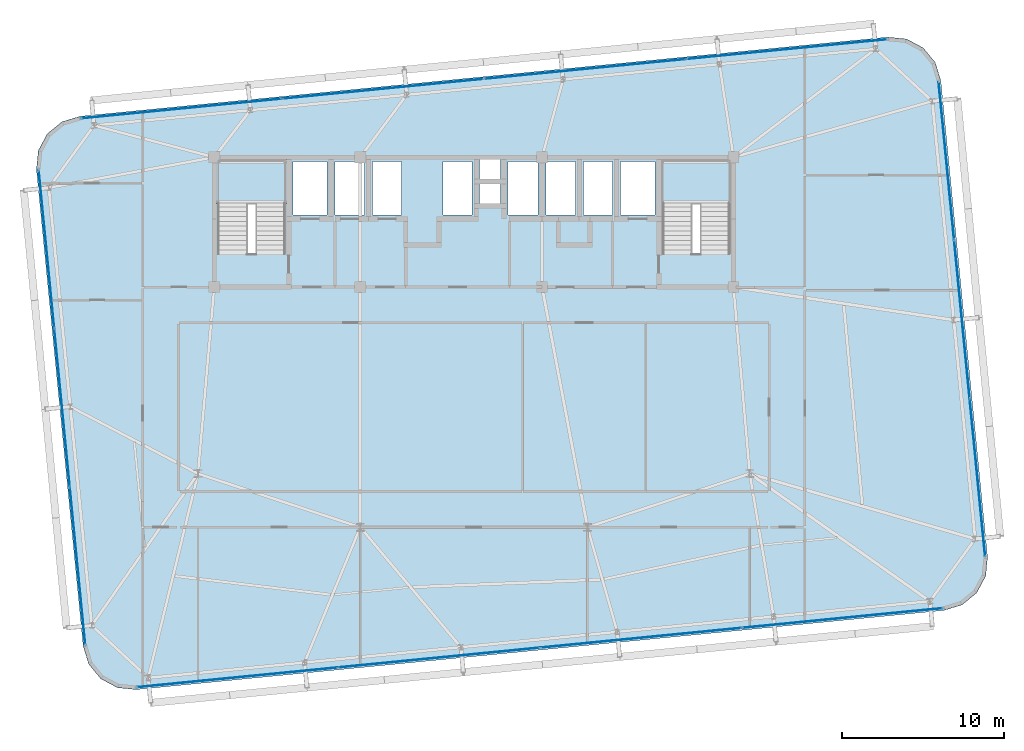
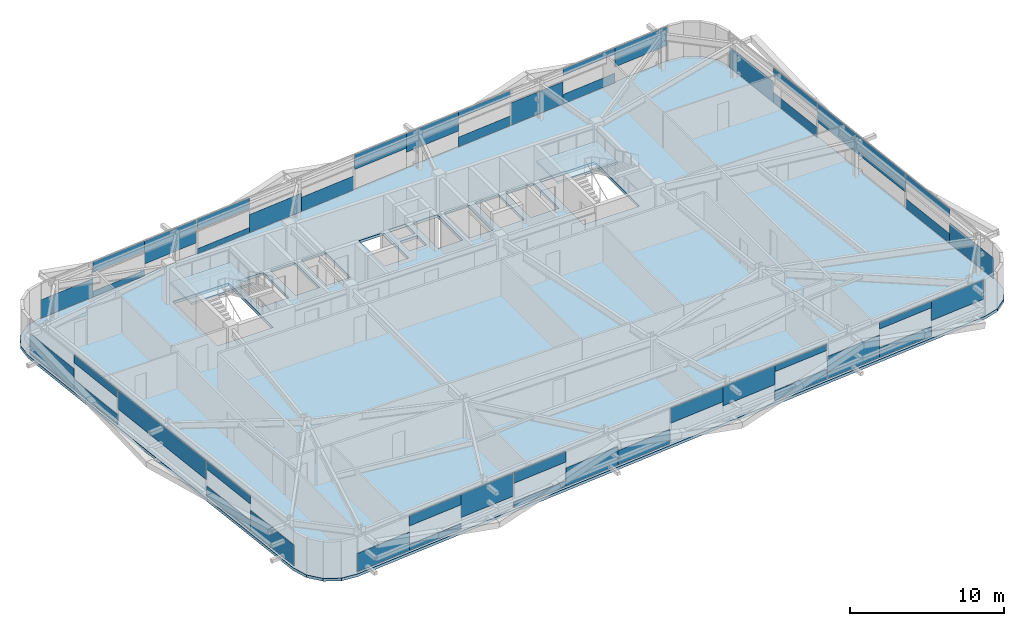
# One storey, part 32 of 47: 46 plates, 3 slabs, 6 elements without a shape of their own.
"""IFC4 building model written with IfcOpenShell, lengths in metres."""

from ifc_helpers import new_model, si_unit, direction, frame, origin, origin_2d, place, context, subcontext, project, spatial, polyline, rectangle, outline, extrude, source, transform, mapped, material, layer, layer_set, type_object, element, aggregate, save


model = new_model("IFC4")

# Units and contexts
model_context = context("Model", 3, precision=1e-05, world=origin(), true_north=direction((0.0, 1.0)))
body_context = subcontext(model_context, "Body", "Model", "MODEL_VIEW")
ifc_project = project(units=[si_unit("LENGTHUNIT", "METRE"), si_unit("AREAUNIT", "SQUARE_METRE"), si_unit("VOLUMEUNIT", "CUBIC_METRE"), si_unit("PLANEANGLEUNIT", "RADIAN"), si_unit("MASSUNIT", "GRAM", prefix="KILO")], contexts=[model_context])

# Site, building, storey
site_placement = place(None, origin())
site = spatial("IfcSite", under=ifc_project, at=site_placement, CompositionType="ELEMENT")
building_placement = place(site_placement, origin())
building = spatial("IfcBuilding", under=site, at=building_placement, Name="Taldren Reach Tower", CompositionType="ELEMENT")
storey_placement = place(building_placement, frame((0.0, 0.0, 109.199951171875)))
storey = spatial("IfcBuildingStorey", under=building, at=storey_placement, Name="L33", CompositionType="ELEMENT", Elevation=109.199951171875)

# Slab
ifc_material_1 = material(Name="Concrete N40 (40 MPa)", Category="concrete")
ifc_layer_1 = layer(ifc_material_1, 0.219970703125)
ifc_layer_set_1 = layer_set([ifc_layer_1], Name="Concrete N40 (40 MPa)")
slab_type_1 = type_object("IfcSlabType", Name="SL-FLR-220", PredefinedType="FLOOR", material=ifc_layer_set_1)
slab_1_placement = place(storey_placement, frame((0.0, 0.0, -0.219970703125)))
element("IfcSlab", 1, at=slab_1_placement, inside=storey, type_object=slab_type_1, Name="Suspended floor slab L33", PredefinedType="FLOOR", context=body_context, shape_type="SweptSolid", body=[
    extrude(outline(polyline([(63.962890625, 4.07421875), (65.0830078125, 4.41357421875), (65.98828125, 5.15576171875), (66.54052734375, 6.187744140625), (66.65576171875, 7.352783203125), (63.777099609375, 36.7119140625), (63.437744140625, 37.832275390625), (62.695556640625, 38.7373046875), (61.663330078125, 39.28955078125), (60.49853515625, 39.40478515625), (10.7373046875, 34.525634765625), (9.616943359375, 34.1865234375), (8.711669921875, 33.4443359375), (8.159423828125, 32.412109375), (8.044189453125, 31.247314453125), (10.923095703125, 1.88818359375), (11.26220703125, 0.767822265625), (12.00439453125, -0.137451171875), (13.03662109375, -0.689697265625), (14.201416015625, -0.804931640625), (63.962890625, 4.07421875)]), holes=[polyline([(19.219970703125, 26.050048828125), (23.3798828125, 26.050048828125), (23.3798828125, 31.820068359375), (19.219970703125, 31.820068359375), (19.219970703125, 26.050048828125)]), polyline([(46.6201171875, 26.050048828125), (50.780029296875, 26.050048828125), (50.780029296875, 31.820068359375), (46.6201171875, 31.820068359375), (46.6201171875, 26.050048828125)]), polyline([(23.85009765625, 28.449951171875), (25.949951171875, 28.449951171875), (25.949951171875, 31.75), (23.85009765625, 31.75), (23.85009765625, 28.449951171875)]), polyline([(44.050048828125, 28.449951171875), (46.14990234375, 28.449951171875), (46.14990234375, 31.75), (44.050048828125, 31.75), (44.050048828125, 28.449951171875)]), polyline([(26.449951171875, 28.449951171875), (28.25, 28.449951171875), (28.25, 31.75), (26.449951171875, 31.75), (26.449951171875, 28.449951171875)]), polyline([(28.75, 28.449951171875), (30.550048828125, 28.449951171875), (30.550048828125, 31.75), (28.75, 31.75), (28.75, 28.449951171875)]), polyline([(33.10009765625, 28.449951171875), (34.89990234375, 28.449951171875), (34.89990234375, 31.75), (33.10009765625, 31.75), (33.10009765625, 28.449951171875)]), polyline([(37.10009765625, 28.449951171875), (38.949951171875, 28.449951171875), (38.949951171875, 31.75), (37.10009765625, 31.75), (37.10009765625, 28.449951171875)]), polyline([(39.449951171875, 28.449951171875), (41.25, 28.449951171875), (41.25, 31.75), (39.449951171875, 31.75), (39.449951171875, 28.449951171875)]), polyline([(41.75, 28.449951171875), (43.550048828125, 28.449951171875), (43.550048828125, 31.75), (41.75, 31.75), (41.75, 28.449951171875)]), polyline([(35.35009765625, 30.64990234375), (36.64990234375, 30.64990234375), (36.64990234375, 31.85009765625), (35.35009765625, 31.85009765625), (35.35009765625, 30.64990234375)]), polyline([(35.35009765625, 29.14990234375), (36.64990234375, 29.14990234375), (36.64990234375, 30.35009765625), (35.35009765625, 30.35009765625), (35.35009765625, 29.14990234375)])]), origin(), (0.0, 0.0, 1.0), 0.219970703125),
])

# Stair, slab
ifc_material_2 = material(Name="Concrete S50 (50 MPa)", Category="concrete")
stair_type = type_object("IfcStairType", Name="ST-HT-315", PredefinedType="HALF_TURN_STAIR", material=ifc_material_2)
stair_1_placement = place(storey_placement, origin())
stair_1 = element("IfcStair", 2, at=stair_1_placement, inside=storey, type_object=stair_type, Name="Fire-isolated exit stair ST1 L33", PredefinedType="HALF_TURN_STAIR")
ifc_layer_2 = layer(ifc_material_2, 0.179931640625)
ifc_layer_set_2 = layer_set([ifc_layer_2], Name="Concrete S50 (50 MPa)")
slab_type_2 = type_object("IfcSlabType", Name="SL-LAND-180", PredefinedType="LANDING", material=ifc_layer_set_2)
slab_2_placement = place(storey_placement, frame((0.0, 0.0, 1.39501953125)))
slab_2 = element("IfcSlab", 3, at=slab_2_placement, type_object=slab_type_2, Name="ST1 landing 1", PredefinedType="LANDING", context=body_context, shape_type="SweptSolid", body=[
    extrude(outline(polyline([(19.0400390625, 29.135009765625), (23.56005859375, 29.135009765625), (23.56005859375, 31.8701171875), (19.0400390625, 31.8701171875), (19.0400390625, 29.135009765625)])), origin(), (0.0, 0.0, 1.0), 0.179931640625),
])
aggregate(stair_1, [slab_2])

stair_2_placement = place(storey_placement, origin())
stair_2 = element("IfcStair", 4, at=stair_2_placement, inside=storey, type_object=stair_type, Name="Fire-isolated exit stair ST2 L33", PredefinedType="HALF_TURN_STAIR")
slab_3_placement = place(storey_placement, frame((0.0, 0.0, 1.39501953125)))
slab_3 = element("IfcSlab", 5, at=slab_3_placement, type_object=slab_type_2, Name="ST2 landing 1", PredefinedType="LANDING", context=body_context, shape_type="SweptSolid", body=[
    extrude(outline(polyline([(46.43994140625, 29.135009765625), (50.9599609375, 29.135009765625), (50.9599609375, 31.8701171875), (46.43994140625, 31.8701171875), (46.43994140625, 29.135009765625)])), origin(), (0.0, 0.0, 1.0), 0.179931640625),
])
aggregate(stair_2, [slab_3])

# Curtain wall, plate
ifc_material_3 = material(Name="Aluminium and Low-E Glass Unitised System", Category="aluminium")
ifc_layer_3 = layer(ifc_material_3, 0.159912109375)
ifc_layer_set_3 = layer_set([ifc_layer_3], Name="Aluminium and Low-E Glass Unitised System")
curtain_wall_type = type_object("IfcCurtainWallType", Name="CW-SYS-3", PredefinedType="NOTDEFINED", material=ifc_layer_set_3)
curtain_wall_1_placement = place(storey_placement, origin())
curtain_wall_1 = element("IfcCurtainWall", 6, at=curtain_wall_1_placement, inside=storey, type_object=curtain_wall_type, Name="Unitised curtain wall CW-L33-S", PredefinedType="NOTDEFINED")
ifc_material_4 = material(Name="Solar-Control Double Glazed IGU", Category="glass")
ifc_layer_4 = layer(ifc_material_4, 0.031982421875)
ifc_layer_set_4 = layer_set([ifc_layer_4], Name="Solar-Control Double Glazed IGU")
plate_type = type_object("IfcPlateType", Name="CW-PNL-IGU32", PredefinedType="CURTAIN_PANEL", material=ifc_layer_set_4)
shared_shape_1 = source(origin(), body_context, "Body", "SweptSolid", [
    extrude(rectangle(XDim=4.13427734375, YDim=0.031982421875, at=origin_2d()), origin(), (0.0, 0.0, 1.0), 1.4609375),
])
plate_1_placement = place(storey_placement, frame((16.3095703125, -0.45751953125, 0.05517578125), z_axis=(0.0, 0.0, 1.0), x_axis=(0.995227390247, 0.097582999046, 0.0)))
plate_1 = element("IfcPlate", 7, at=plate_1_placement, type_object=plate_type, Name="CW-3 panel 1.1 part 1", PredefinedType="CURTAIN_PANEL", context=body_context, shape_type="MappedRepresentation", body=[
    mapped(shared_shape_1, transform((0.0, 0.0, 0.0), scale=1.0)),
])

curtain_wall_2_placement = place(storey_placement, origin())
curtain_wall_2 = element("IfcCurtainWall", 8, at=curtain_wall_2_placement, inside=storey, type_object=curtain_wall_type, Name="Unitised curtain wall CW-L33-N", PredefinedType="NOTDEFINED")
plate_2_placement = place(storey_placement, frame((12.872802734375, 34.594482421875, 0.05517578125), z_axis=(0.0, 0.0, 1.0), x_axis=(-0.995227390247, -0.097582999046, 0.0)))
plate_2 = element("IfcPlate", 9, at=plate_2_placement, type_object=plate_type, Name="CW-3 panel 4.1 part 4", PredefinedType="CURTAIN_PANEL", context=body_context, shape_type="MappedRepresentation", body=[
    mapped(shared_shape_1, transform((0.0, 0.0, 0.0), scale=1.0)),
])

# Plate
shared_shape_2 = source(origin(), body_context, "Body", "SweptSolid", [
    extrude(rectangle(XDim=4.13427734375, YDim=0.031982421875, at=origin_2d()), origin(), (0.0, 0.0, 1.0), 0.44873046875),
])
plate_3_placement = place(storey_placement, frame((20.424072265625, -0.053955078125, 0.05517578125), z_axis=(0.0, 0.0, 1.0), x_axis=(0.995227390247, 0.097582999046, 0.0)))
plate_3 = element("IfcPlate", 10, at=plate_3_placement, type_object=plate_type, Name="CW-3 panel 1.1 part 2", PredefinedType="CURTAIN_PANEL", context=body_context, shape_type="MappedRepresentation", body=[
    mapped(shared_shape_2, transform((0.0, 0.0, 0.0), scale=1.0)),
])

plate_4_placement = place(storey_placement, frame((16.9873046875, 34.997802734375, 0.05517578125), z_axis=(0.0, 0.0, 1.0), x_axis=(-0.995227390247, -0.097582999046, 0.0)))
plate_4 = element("IfcPlate", 11, at=plate_4_placement, type_object=plate_type, Name="CW-3 panel 4.1 part 2", PredefinedType="CURTAIN_PANEL", context=body_context, shape_type="MappedRepresentation", body=[
    mapped(shared_shape_2, transform((0.0, 0.0, 0.0), scale=1.0)),
])

shared_shape_3 = source(origin(), body_context, "Body", "SweptSolid", [
    extrude(rectangle(XDim=4.13427734375, YDim=0.031982421875, at=origin_2d()), origin(), (0.0, 0.0, 1.0), 0.8154296875),
])
plate_5_placement = place(storey_placement, frame((20.424072265625, -0.053955078125, 1.99951171875), z_axis=(0.0, 0.0, 1.0), x_axis=(0.995227390247, 0.097582999046, 0.0)))
plate_5 = element("IfcPlate", 12, at=plate_5_placement, type_object=plate_type, Name="CW-3 panel 1.1 part 3", PredefinedType="CURTAIN_PANEL", context=body_context, shape_type="MappedRepresentation", body=[
    mapped(shared_shape_3, transform((0.0, 0.0, 0.0), scale=1.0)),
])

plate_6_placement = place(storey_placement, frame((16.9873046875, 34.997802734375, 1.99951171875), z_axis=(0.0, 0.0, 1.0), x_axis=(-0.995227390247, -0.097582999046, 0.0)))
plate_6 = element("IfcPlate", 13, at=plate_6_placement, type_object=plate_type, Name="CW-3 panel 4.1 part 3", PredefinedType="CURTAIN_PANEL", context=body_context, shape_type="MappedRepresentation", body=[
    mapped(shared_shape_3, transform((0.0, 0.0, 0.0), scale=1.0)),
])

shared_shape_4 = source(origin(), body_context, "Body", "SweptSolid", [
    extrude(rectangle(XDim=4.13427734375, YDim=0.031982421875, at=origin_2d()), origin(), (0.0, 0.0, 1.0), 1.82763671875),
])
plate_7_placement = place(storey_placement, frame((24.53857421875, 0.349365234375, 0.9873046875), z_axis=(0.0, 0.0, 1.0), x_axis=(0.995227390247, 0.097582999046, 0.0)))
plate_7 = element("IfcPlate", 14, at=plate_7_placement, type_object=plate_type, Name="CW-3 panel 1.1 part 4", PredefinedType="CURTAIN_PANEL", context=body_context, shape_type="MappedRepresentation", body=[
    mapped(shared_shape_4, transform((0.0, 0.0, 0.0), scale=1.0)),
])

plate_8_placement = place(storey_placement, frame((21.1015625, 35.4013671875, 0.9873046875), z_axis=(0.0, 0.0, 1.0), x_axis=(-0.995227390247, -0.097582999046, 0.0)))
plate_8 = element("IfcPlate", 15, at=plate_8_placement, type_object=plate_type, Name="CW-3 panel 4.1 part 1", PredefinedType="CURTAIN_PANEL", context=body_context, shape_type="MappedRepresentation", body=[
    mapped(shared_shape_4, transform((0.0, 0.0, 0.0), scale=1.0)),
])

shared_shape_5 = source(origin(), body_context, "Body", "SweptSolid", [
    extrude(rectangle(XDim=4.14501953125, YDim=0.031982421875, at=origin_2d()), origin(), (0.0, 0.0, 1.0), 0.42578125),
])
plate_9_placement = place(storey_placement, frame((28.72314453125, 0.759765625, 0.054931640625), z_axis=(0.0, 0.0, 1.0), x_axis=(0.995227390247, 0.097582999046, 0.0)))
plate_9 = element("IfcPlate", 16, at=plate_9_placement, type_object=plate_type, Name="CW-3 panel 2.1 part 1", PredefinedType="CURTAIN_PANEL", context=body_context, shape_type="MappedRepresentation", body=[
    mapped(shared_shape_5, transform((0.0, 0.0, 0.0), scale=1.0)),
])

plate_10_placement = place(storey_placement, frame((25.2861328125, 35.8115234375, 0.054931640625), z_axis=(0.0, 0.0, 1.0), x_axis=(-0.995227390247, -0.097582999046, 0.0)))
plate_10 = element("IfcPlate", 17, at=plate_10_placement, type_object=plate_type, Name="CW-3 panel 3.1 part 3", PredefinedType="CURTAIN_PANEL", context=body_context, shape_type="MappedRepresentation", body=[
    mapped(shared_shape_5, transform((0.0, 0.0, 0.0), scale=1.0)),
])

shared_shape_6 = source(origin(), body_context, "Body", "SweptSolid", [
    extrude(rectangle(XDim=4.14501953125, YDim=0.031982421875, at=origin_2d()), origin(), (0.0, 0.0, 1.0), 0.8359375),
])
plate_11_placement = place(storey_placement, frame((28.72314453125, 0.759765625, 1.979248046875), z_axis=(0.0, 0.0, 1.0), x_axis=(0.995227390247, 0.097582999046, 0.0)))
plate_11 = element("IfcPlate", 18, at=plate_11_placement, type_object=plate_type, Name="CW-3 panel 2.1 part 2", PredefinedType="CURTAIN_PANEL", context=body_context, shape_type="MappedRepresentation", body=[
    mapped(shared_shape_6, transform((0.0, 0.0, 0.0), scale=1.0)),
])

plate_12_placement = place(storey_placement, frame((25.2861328125, 35.8115234375, 1.979248046875), z_axis=(0.0, 0.0, 1.0), x_axis=(-0.995227390247, -0.097582999046, 0.0)))
plate_12 = element("IfcPlate", 19, at=plate_12_placement, type_object=plate_type, Name="CW-3 panel 3.1 part 4", PredefinedType="CURTAIN_PANEL", context=body_context, shape_type="MappedRepresentation", body=[
    mapped(shared_shape_6, transform((0.0, 0.0, 0.0), scale=1.0)),
])

shared_shape_7 = source(origin(), body_context, "Body", "SweptSolid", [
    extrude(rectangle(XDim=4.14501953125, YDim=0.031982421875, at=origin_2d()), origin(), (0.0, 0.0, 1.0), 1.440673828125),
])
plate_13_placement = place(storey_placement, frame((32.84814453125, 1.1640625, 0.05517578125), z_axis=(0.0, 0.0, 1.0), x_axis=(0.995227390247, 0.097582999046, 0.0)))
plate_13 = element("IfcPlate", 20, at=plate_13_placement, type_object=plate_type, Name="CW-3 panel 2.1 part 3", PredefinedType="CURTAIN_PANEL", context=body_context, shape_type="MappedRepresentation", body=[
    mapped(shared_shape_7, transform((0.0, 0.0, 0.0), scale=1.0)),
])

plate_14_placement = place(storey_placement, frame((29.411376953125, 36.216064453125, 0.05517578125), z_axis=(0.0, 0.0, 1.0), x_axis=(-0.995227390247, -0.097582999046, 0.0)))
plate_14 = element("IfcPlate", 21, at=plate_14_placement, type_object=plate_type, Name="CW-3 panel 3.1 part 2", PredefinedType="CURTAIN_PANEL", context=body_context, shape_type="MappedRepresentation", body=[
    mapped(shared_shape_7, transform((0.0, 0.0, 0.0), scale=1.0)),
])

shared_shape_8 = source(origin(), body_context, "Body", "SweptSolid", [
    extrude(rectangle(XDim=4.14501953125, YDim=0.031982421875, at=origin_2d()), origin(), (0.0, 0.0, 1.0), 1.1162109375),
])
plate_15_placement = place(storey_placement, frame((36.973388671875, 1.568603515625, 0.054931640625), z_axis=(0.0, 0.0, 1.0), x_axis=(0.995227390247, 0.097582999046, 0.0)))
plate_15 = element("IfcPlate", 22, at=plate_15_placement, type_object=plate_type, Name="CW-3 panel 2.1 part 4", PredefinedType="CURTAIN_PANEL", context=body_context, shape_type="MappedRepresentation", body=[
    mapped(shared_shape_8, transform((0.0, 0.0, 0.0), scale=1.0)),
])

plate_16_placement = place(storey_placement, frame((33.53662109375, 36.62060546875, 0.054931640625), z_axis=(0.0, 0.0, 1.0), x_axis=(-0.995227390247, -0.097582999046, 0.0)))
plate_16 = element("IfcPlate", 23, at=plate_16_placement, type_object=plate_type, Name="CW-3 panel 3.1 part 1", PredefinedType="CURTAIN_PANEL", context=body_context, shape_type="MappedRepresentation", body=[
    mapped(shared_shape_8, transform((0.0, 0.0, 0.0), scale=1.0)),
])

shared_shape_9 = source(origin(), body_context, "Body", "SweptSolid", [
    extrude(rectangle(XDim=4.14501953125, YDim=0.031982421875, at=origin_2d()), origin(), (0.0, 0.0, 1.0), 1.17626953125),
])
plate_17_placement = place(storey_placement, frame((41.163330078125, 1.9794921875, 1.638916015625), z_axis=(0.0, 0.0, 1.0), x_axis=(0.995227390247, 0.097582999046, 0.0)))
plate_17 = element("IfcPlate", 24, at=plate_17_placement, type_object=plate_type, Name="CW-3 panel 3.1 part 1", PredefinedType="CURTAIN_PANEL", context=body_context, shape_type="MappedRepresentation", body=[
    mapped(shared_shape_9, transform((0.0, 0.0, 0.0), scale=1.0)),
])

plate_18_placement = place(storey_placement, frame((37.7265625, 37.03125, 1.638916015625), z_axis=(0.0, 0.0, 1.0), x_axis=(-0.995227390247, -0.097582999046, 0.0)))
plate_18 = element("IfcPlate", 25, at=plate_18_placement, type_object=plate_type, Name="CW-3 panel 2.1 part 4", PredefinedType="CURTAIN_PANEL", context=body_context, shape_type="MappedRepresentation", body=[
    mapped(shared_shape_9, transform((0.0, 0.0, 0.0), scale=1.0)),
])

shared_shape_10 = source(origin(), body_context, "Body", "SweptSolid", [
    extrude(rectangle(XDim=4.14501953125, YDim=0.031982421875, at=origin_2d()), origin(), (0.0, 0.0, 1.0), 1.50048828125),
])
plate_19_placement = place(storey_placement, frame((45.28857421875, 2.384033203125, 1.314453125), z_axis=(0.0, 0.0, 1.0), x_axis=(0.995227390247, 0.097582999046, 0.0)))
plate_19 = element("IfcPlate", 26, at=plate_19_placement, type_object=plate_type, Name="CW-3 panel 3.1 part 2", PredefinedType="CURTAIN_PANEL", context=body_context, shape_type="MappedRepresentation", body=[
    mapped(shared_shape_10, transform((0.0, 0.0, 0.0), scale=1.0)),
])

plate_20_placement = place(storey_placement, frame((41.851806640625, 37.435791015625, 1.314453125), z_axis=(0.0, 0.0, 1.0), x_axis=(-0.995227390247, -0.097582999046, 0.0)))
plate_20 = element("IfcPlate", 27, at=plate_20_placement, type_object=plate_type, Name="CW-3 panel 2.1 part 3", PredefinedType="CURTAIN_PANEL", context=body_context, shape_type="MappedRepresentation", body=[
    mapped(shared_shape_10, transform((0.0, 0.0, 0.0), scale=1.0)),
])

shared_shape_11 = source(origin(), body_context, "Body", "SweptSolid", [
    extrude(rectangle(XDim=4.14501953125, YDim=0.031982421875, at=origin_2d()), origin(), (0.0, 0.0, 1.0), 0.77587890625),
])
plate_21_placement = place(storey_placement, frame((49.413818359375, 2.788330078125, 0.054931640625), z_axis=(0.0, 0.0, 1.0), x_axis=(0.995227390247, 0.097582999046, 0.0)))
plate_21 = element("IfcPlate", 28, at=plate_21_placement, type_object=plate_type, Name="CW-3 panel 3.1 part 3", PredefinedType="CURTAIN_PANEL", context=body_context, shape_type="MappedRepresentation", body=[
    mapped(shared_shape_11, transform((0.0, 0.0, 0.0), scale=1.0)),
])

plate_22_placement = place(storey_placement, frame((45.97705078125, 37.84033203125, 0.054931640625), z_axis=(0.0, 0.0, 1.0), x_axis=(-0.995227390247, -0.097582999046, 0.0)))
plate_22 = element("IfcPlate", 29, at=plate_22_placement, type_object=plate_type, Name="CW-3 panel 2.1 part 1", PredefinedType="CURTAIN_PANEL", context=body_context, shape_type="MappedRepresentation", body=[
    mapped(shared_shape_11, transform((0.0, 0.0, 0.0), scale=1.0)),
])

shared_shape_12 = source(origin(), body_context, "Body", "SweptSolid", [
    extrude(rectangle(XDim=4.14501953125, YDim=0.031982421875, at=origin_2d()), origin(), (0.0, 0.0, 1.0), 0.48583984375),
])
plate_23_placement = place(storey_placement, frame((49.413818359375, 2.788330078125, 2.329345703125), z_axis=(0.0, 0.0, 1.0), x_axis=(0.995227390247, 0.097582999046, 0.0)))
plate_23 = element("IfcPlate", 30, at=plate_23_placement, type_object=plate_type, Name="CW-3 panel 3.1 part 4", PredefinedType="CURTAIN_PANEL", context=body_context, shape_type="MappedRepresentation", body=[
    mapped(shared_shape_12, transform((0.0, 0.0, 0.0), scale=1.0)),
])

plate_24_placement = place(storey_placement, frame((45.97705078125, 37.84033203125, 2.329345703125), z_axis=(0.0, 0.0, 1.0), x_axis=(-0.995227390247, -0.097582999046, 0.0)))
plate_24 = element("IfcPlate", 31, at=plate_24_placement, type_object=plate_type, Name="CW-3 panel 2.1 part 2", PredefinedType="CURTAIN_PANEL", context=body_context, shape_type="MappedRepresentation", body=[
    mapped(shared_shape_12, transform((0.0, 0.0, 0.0), scale=1.0)),
])

shared_shape_13 = source(origin(), body_context, "Body", "SweptSolid", [
    extrude(rectangle(XDim=4.13427734375, YDim=0.031982421875, at=origin_2d()), origin(), (0.0, 0.0, 1.0), 1.767578125),
])
plate_25_placement = place(storey_placement, frame((53.598388671875, 3.19873046875, 0.05517578125), z_axis=(0.0, 0.0, 1.0), x_axis=(0.995227390247, 0.097582999046, 0.0)))
plate_25 = element("IfcPlate", 32, at=plate_25_placement, type_object=plate_type, Name="CW-3 panel 4.1 part 1", PredefinedType="CURTAIN_PANEL", context=body_context, shape_type="MappedRepresentation", body=[
    mapped(shared_shape_13, transform((0.0, 0.0, 0.0), scale=1.0)),
])

plate_26_placement = place(storey_placement, frame((50.161376953125, 38.250732421875, 0.05517578125), z_axis=(0.0, 0.0, 1.0), x_axis=(-0.995227390247, -0.097582999046, 0.0)))
plate_26 = element("IfcPlate", 33, at=plate_26_placement, type_object=plate_type, Name="CW-3 panel 1.1 part 4", PredefinedType="CURTAIN_PANEL", context=body_context, shape_type="MappedRepresentation", body=[
    mapped(shared_shape_13, transform((0.0, 0.0, 0.0), scale=1.0)),
])

shared_shape_14 = source(origin(), body_context, "Body", "SweptSolid", [
    extrude(rectangle(XDim=4.13427734375, YDim=0.031982421875, at=origin_2d()), origin(), (0.0, 0.0, 1.0), 0.75537109375),
])
plate_27_placement = place(storey_placement, frame((57.712890625, 3.60205078125, 0.05517578125), z_axis=(0.0, 0.0, 1.0), x_axis=(0.995227390247, 0.097582999046, 0.0)))
plate_27 = element("IfcPlate", 34, at=plate_27_placement, type_object=plate_type, Name="CW-3 panel 4.1 part 2", PredefinedType="CURTAIN_PANEL", context=body_context, shape_type="MappedRepresentation", body=[
    mapped(shared_shape_14, transform((0.0, 0.0, 0.0), scale=1.0)),
])

plate_28_placement = place(storey_placement, frame((54.27587890625, 38.654052734375, 0.05517578125), z_axis=(0.0, 0.0, 1.0), x_axis=(-0.995227390247, -0.097582999046, 0.0)))
plate_28 = element("IfcPlate", 35, at=plate_28_placement, type_object=plate_type, Name="CW-3 panel 1.1 part 2", PredefinedType="CURTAIN_PANEL", context=body_context, shape_type="MappedRepresentation", body=[
    mapped(shared_shape_14, transform((0.0, 0.0, 0.0), scale=1.0)),
])

shared_shape_15 = source(origin(), body_context, "Body", "SweptSolid", [
    extrude(rectangle(XDim=4.13427734375, YDim=0.031982421875, at=origin_2d()), origin(), (0.0, 0.0, 1.0), 0.5087890625),
])
plate_29_placement = place(storey_placement, frame((57.712890625, 3.60205078125, 2.30615234375), z_axis=(0.0, 0.0, 1.0), x_axis=(0.995227390247, 0.097582999046, 0.0)))
plate_29 = element("IfcPlate", 36, at=plate_29_placement, type_object=plate_type, Name="CW-3 panel 4.1 part 3", PredefinedType="CURTAIN_PANEL", context=body_context, shape_type="MappedRepresentation", body=[
    mapped(shared_shape_15, transform((0.0, 0.0, 0.0), scale=1.0)),
])

plate_30_placement = place(storey_placement, frame((54.27587890625, 38.654052734375, 2.30615234375), z_axis=(0.0, 0.0, 1.0), x_axis=(-0.995227390247, -0.097582999046, 0.0)))
plate_30 = element("IfcPlate", 37, at=plate_30_placement, type_object=plate_type, Name="CW-3 panel 1.1 part 3", PredefinedType="CURTAIN_PANEL", context=body_context, shape_type="MappedRepresentation", body=[
    mapped(shared_shape_15, transform((0.0, 0.0, 0.0), scale=1.0)),
])

shared_shape_16 = source(origin(), body_context, "Body", "SweptSolid", [
    extrude(rectangle(XDim=4.13427734375, YDim=0.031982421875, at=origin_2d()), origin(), (0.0, 0.0, 1.0), 1.52099609375),
])
plate_31_placement = place(storey_placement, frame((61.8271484375, 4.005615234375, 1.2939453125), z_axis=(0.0, 0.0, 1.0), x_axis=(0.995227390247, 0.097582999046, 0.0)))
plate_31 = element("IfcPlate", 38, at=plate_31_placement, type_object=plate_type, Name="CW-3 panel 4.1 part 4", PredefinedType="CURTAIN_PANEL", context=body_context, shape_type="MappedRepresentation", body=[
    mapped(shared_shape_16, transform((0.0, 0.0, 0.0), scale=1.0)),
])

aggregate(curtain_wall_1, [plate_1, plate_3, plate_5, plate_7, plate_9, plate_11, plate_13, plate_15, plate_17, plate_19, plate_21, plate_23, plate_25, plate_27, plate_29, plate_31])

plate_32_placement = place(storey_placement, frame((58.390380859375, 39.057373046875, 1.2939453125), z_axis=(0.0, 0.0, 1.0), x_axis=(-0.995227390247, -0.097582999046, 0.0)))
plate_32 = element("IfcPlate", 39, at=plate_32_placement, type_object=plate_type, Name="CW-3 panel 1.1 part 1", PredefinedType="CURTAIN_PANEL", context=body_context, shape_type="MappedRepresentation", body=[
    mapped(shared_shape_16, transform((0.0, 0.0, 0.0), scale=1.0)),
])

aggregate(curtain_wall_2, [plate_32, plate_28, plate_30, plate_26, plate_22, plate_24, plate_20, plate_18, plate_16, plate_14, plate_10, plate_12, plate_8, plate_4, plate_6, plate_2])

# Curtain wall, plates
curtain_wall_3_placement = place(storey_placement, origin())
curtain_wall_3 = element("IfcCurtainWall", 40, at=curtain_wall_3_placement, inside=storey, type_object=curtain_wall_type, Name="Unitised curtain wall CW-L33-W", PredefinedType="NOTDEFINED")
shared_shape_17 = source(origin(), body_context, "Body", "SweptSolid", [
    extrude(rectangle(XDim=4.867919921875, YDim=0.031982421875, at=origin_2d()), origin(), (0.0, 0.0, 1.0), 1.6435546875),
])
plate_33_placement = place(storey_placement, frame((8.427490234375, 28.77392578125, 0.05517578125), z_axis=(0.0, 0.0, 1.0), x_axis=(0.09758274098, -0.99522741555, 0.0)))
plate_33 = element("IfcPlate", 41, at=plate_33_placement, type_object=plate_type, Name="CW-3 panel 1.1 part 1", PredefinedType="CURTAIN_PANEL", context=body_context, shape_type="MappedRepresentation", body=[
    mapped(shared_shape_17, transform((0.0, 0.0, 0.0), scale=1.0)),
])
plate_34_placement = place(storey_placement, frame((10.818359375, 4.388671875, 0.05517578125), z_axis=(0.0, 0.0, 1.0), x_axis=(0.09758274098, -0.99522741555, 0.0)))
plate_34 = element("IfcPlate", 42, at=plate_34_placement, type_object=plate_type, Name="CW-3 panel 3.1 part 3", PredefinedType="CURTAIN_PANEL", context=body_context, shape_type="MappedRepresentation", body=[
    mapped(shared_shape_17, transform((0.0, 0.0, 0.0), scale=1.0)),
])

curtain_wall_4_placement = place(storey_placement, origin())
curtain_wall_4 = element("IfcCurtainWall", 43, at=curtain_wall_4_placement, inside=storey, type_object=curtain_wall_type, Name="Unitised curtain wall CW-L33-E", PredefinedType="NOTDEFINED")
plate_35_placement = place(storey_placement, frame((66.2724609375, 9.826171875, 0.05517578125), z_axis=(0.0, 0.0, 1.0), x_axis=(-0.09758274098, 0.99522741555, 0.0)))
plate_35 = element("IfcPlate", 44, at=plate_35_placement, type_object=plate_type, Name="CW-3 panel 1.1 part 1", PredefinedType="CURTAIN_PANEL", context=body_context, shape_type="MappedRepresentation", body=[
    mapped(shared_shape_17, transform((0.0, 0.0, 0.0), scale=1.0)),
])
plate_36_placement = place(storey_placement, frame((63.881591796875, 34.211181640625, 0.05517578125), z_axis=(0.0, 0.0, 1.0), x_axis=(-0.09758274098, 0.99522741555, 0.0)))
plate_36 = element("IfcPlate", 45, at=plate_36_placement, type_object=plate_type, Name="CW-3 panel 3.1 part 3", PredefinedType="CURTAIN_PANEL", context=body_context, shape_type="MappedRepresentation", body=[
    mapped(shared_shape_17, transform((0.0, 0.0, 0.0), scale=1.0)),
])

# Plate
shared_shape_18 = source(origin(), body_context, "Body", "SweptSolid", [
    extrude(rectangle(XDim=4.867919921875, YDim=0.031982421875, at=origin_2d()), origin(), (0.0, 0.0, 1.0), 0.792236328125),
])
plate_37_placement = place(storey_placement, frame((8.902587890625, 23.92919921875, 0.05517578125), z_axis=(0.0, 0.0, 1.0), x_axis=(0.09758274098, -0.99522741555, 0.0)))
plate_37 = element("IfcPlate", 46, at=plate_37_placement, type_object=plate_type, Name="CW-3 panel 1.1 part 2", PredefinedType="CURTAIN_PANEL", context=body_context, shape_type="MappedRepresentation", body=[
    mapped(shared_shape_18, transform((0.0, 0.0, 0.0), scale=1.0)),
])

plate_38_placement = place(storey_placement, frame((10.343505859375, 9.2333984375, 0.05517578125), z_axis=(0.0, 0.0, 1.0), x_axis=(0.09758274098, -0.99522741555, 0.0)))
plate_38 = element("IfcPlate", 47, at=plate_38_placement, type_object=plate_type, Name="CW-3 panel 3.1 part 1", PredefinedType="CURTAIN_PANEL", context=body_context, shape_type="MappedRepresentation", body=[
    mapped(shared_shape_18, transform((0.0, 0.0, 0.0), scale=1.0)),
])

plate_39_placement = place(storey_placement, frame((65.797607421875, 14.670654296875, 0.05517578125), z_axis=(0.0, 0.0, 1.0), x_axis=(-0.09758274098, 0.99522741555, 0.0)))
plate_39 = element("IfcPlate", 48, at=plate_39_placement, type_object=plate_type, Name="CW-3 panel 1.1 part 2", PredefinedType="CURTAIN_PANEL", context=body_context, shape_type="MappedRepresentation", body=[
    mapped(shared_shape_18, transform((0.0, 0.0, 0.0), scale=1.0)),
])

plate_40_placement = place(storey_placement, frame((64.356689453125, 29.366455078125, 0.05517578125), z_axis=(0.0, 0.0, 1.0), x_axis=(-0.09758274098, 0.99522741555, 0.0)))
plate_40 = element("IfcPlate", 49, at=plate_40_placement, type_object=plate_type, Name="CW-3 panel 3.1 part 1", PredefinedType="CURTAIN_PANEL", context=body_context, shape_type="MappedRepresentation", body=[
    mapped(shared_shape_18, transform((0.0, 0.0, 0.0), scale=1.0)),
])

shared_shape_19 = source(origin(), body_context, "Body", "SweptSolid", [
    extrude(rectangle(XDim=4.867919921875, YDim=0.031982421875, at=origin_2d()), origin(), (0.0, 0.0, 1.0), 0.639404296875),
])
plate_41_placement = place(storey_placement, frame((8.902587890625, 23.92919921875, 2.17578125), z_axis=(0.0, 0.0, 1.0), x_axis=(0.09758274098, -0.99522741555, 0.0)))
plate_41 = element("IfcPlate", 50, at=plate_41_placement, type_object=plate_type, Name="CW-3 panel 1.1 part 3", PredefinedType="CURTAIN_PANEL", context=body_context, shape_type="MappedRepresentation", body=[
    mapped(shared_shape_19, transform((0.0, 0.0, 0.0), scale=1.0)),
])

plate_42_placement = place(storey_placement, frame((10.343505859375, 9.2333984375, 2.17578125), z_axis=(0.0, 0.0, 1.0), x_axis=(0.09758274098, -0.99522741555, 0.0)))
plate_42 = element("IfcPlate", 51, at=plate_42_placement, type_object=plate_type, Name="CW-3 panel 3.1 part 2", PredefinedType="CURTAIN_PANEL", context=body_context, shape_type="MappedRepresentation", body=[
    mapped(shared_shape_19, transform((0.0, 0.0, 0.0), scale=1.0)),
])

plate_43_placement = place(storey_placement, frame((65.797607421875, 14.670654296875, 2.17578125), z_axis=(0.0, 0.0, 1.0), x_axis=(-0.09758274098, 0.99522741555, 0.0)))
plate_43 = element("IfcPlate", 52, at=plate_43_placement, type_object=plate_type, Name="CW-3 panel 1.1 part 3", PredefinedType="CURTAIN_PANEL", context=body_context, shape_type="MappedRepresentation", body=[
    mapped(shared_shape_19, transform((0.0, 0.0, 0.0), scale=1.0)),
])

plate_44_placement = place(storey_placement, frame((64.356689453125, 29.366455078125, 2.17578125), z_axis=(0.0, 0.0, 1.0), x_axis=(-0.09758274098, 0.99522741555, 0.0)))
plate_44 = element("IfcPlate", 53, at=plate_44_placement, type_object=plate_type, Name="CW-3 panel 3.1 part 2", PredefinedType="CURTAIN_PANEL", context=body_context, shape_type="MappedRepresentation", body=[
    mapped(shared_shape_19, transform((0.0, 0.0, 0.0), scale=1.0)),
])

shared_shape_20 = source(origin(), body_context, "Body", "SweptSolid", [
    extrude(rectangle(XDim=9.768310546875, YDim=0.031982421875, at=origin_2d()), origin(), (0.0, 0.0, 1.0), 1.502197265625),
])
plate_45_placement = place(storey_placement, frame((9.623046875, 16.581298828125, 1.31298828125), z_axis=(0.0, 0.0, 1.0), x_axis=(0.09758274098, -0.99522741555, 0.0)))
plate_45 = element("IfcPlate", 54, at=plate_45_placement, type_object=plate_type, Name="CW-3 panel 2.1 part 1", PredefinedType="CURTAIN_PANEL", context=body_context, shape_type="MappedRepresentation", body=[
    mapped(shared_shape_20, transform((0.0, 0.0, 0.0), scale=1.0)),
])

aggregate(curtain_wall_3, [plate_33, plate_37, plate_41, plate_45, plate_38, plate_42, plate_34])

plate_46_placement = place(storey_placement, frame((65.0771484375, 22.0185546875, 1.31298828125), z_axis=(0.0, 0.0, 1.0), x_axis=(-0.09758274098, 0.99522741555, 0.0)))
plate_46 = element("IfcPlate", 55, at=plate_46_placement, type_object=plate_type, Name="CW-3 panel 2.1 part 1", PredefinedType="CURTAIN_PANEL", context=body_context, shape_type="MappedRepresentation", body=[
    mapped(shared_shape_20, transform((0.0, 0.0, 0.0), scale=1.0)),
])

aggregate(curtain_wall_4, [plate_35, plate_39, plate_43, plate_46, plate_40, plate_44, plate_36])

save(model, "model.ifc")
